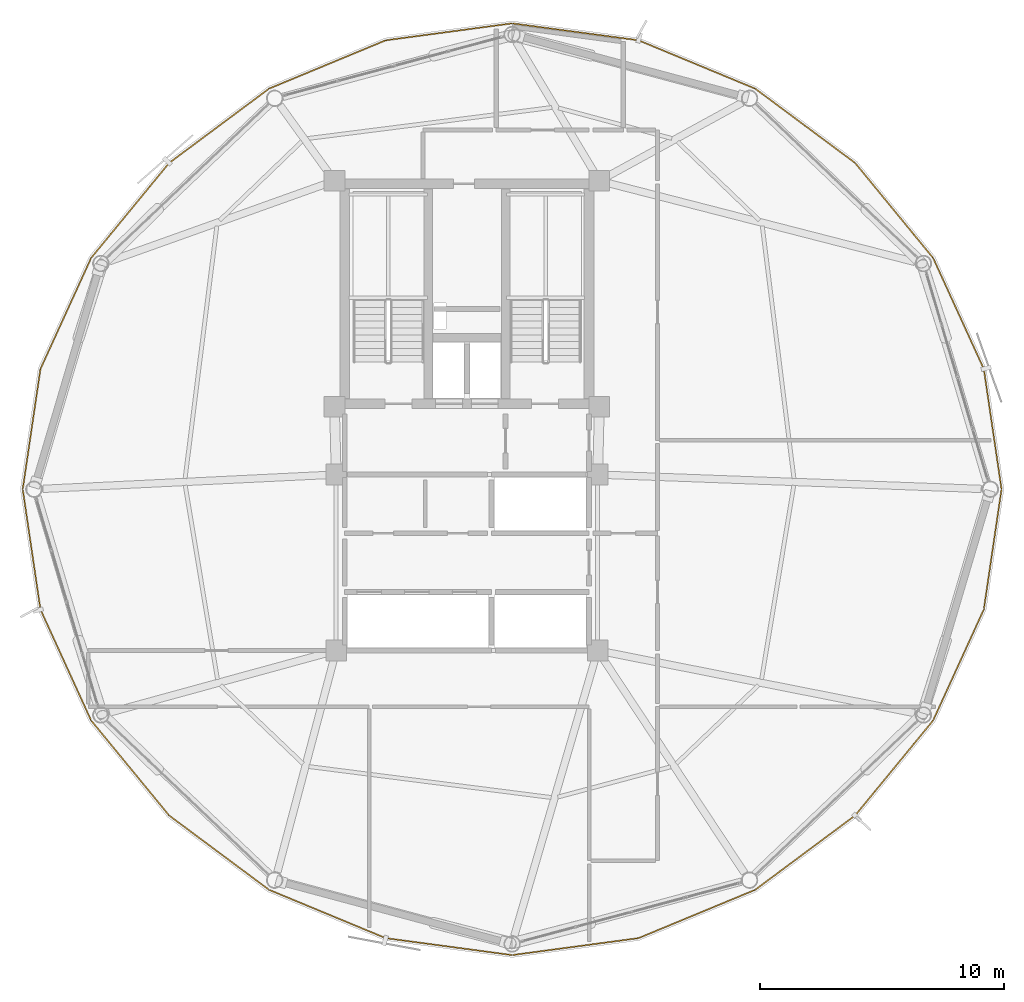
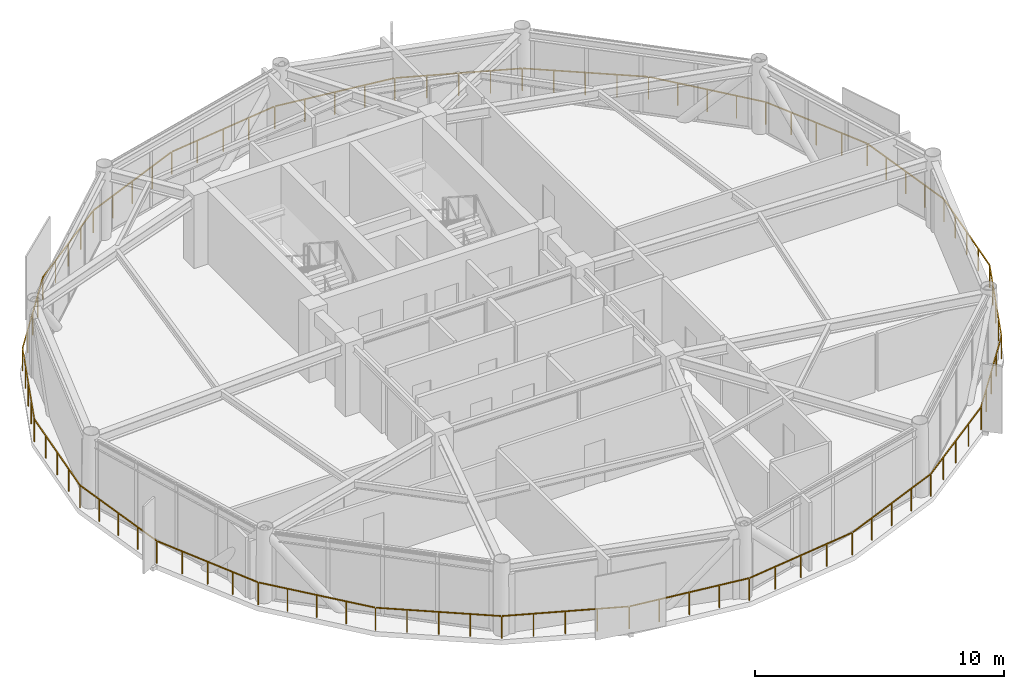
# One storey, part 27 of 29: 1 railing.
"""IFC4 building model written with IfcOpenShell, lengths in metres."""

from ifc_helpers import new_model, si_unit, direction, frame, origin, origin_2d, place, context, subcontext, project, spatial, rectangle, extrude, material, type_object, element, save


model = new_model("IFC4")

# Units and contexts
model_context = context("Model", 3, precision=1e-05, world=origin(), true_north=direction((0.0, 1.0)))
body_context = subcontext(model_context, "Body", "Model", "MODEL_VIEW")
ifc_project = project(units=[si_unit("LENGTHUNIT", "METRE"), si_unit("AREAUNIT", "SQUARE_METRE"), si_unit("VOLUMEUNIT", "CUBIC_METRE"), si_unit("PLANEANGLEUNIT", "RADIAN"), si_unit("MASSUNIT", "GRAM", prefix="KILO")], contexts=[model_context])

# Site, building, storey
site_placement = place(None, origin())
site = spatial("IfcSite", under=ifc_project, at=site_placement, CompositionType="ELEMENT")
building_placement = place(site_placement, origin())
building = spatial("IfcBuilding", under=site, at=building_placement, Name="Varnakorn Sky Granary", CompositionType="ELEMENT")
storey_placement = place(building_placement, frame((0.0, 0.0, 189.60009765625)))
storey = spatial("IfcBuildingStorey", under=building, at=storey_placement, Name="L47", CompositionType="ELEMENT", Elevation=189.60009765625)

# Railing
ifc_material = material(Name="Anodised Bronze Aluminium Alloy 6063-T6", Category="aluminium")
railing_type = type_object("IfcRailingType", Name="RL-BAL-1120", PredefinedType="BALUSTRADE", material=ifc_material)
railing_placement = place(storey_placement, frame((24.8779296875, 0.0, 0.0)))
element("IfcRailing", 1, at=railing_placement, inside=storey, type_object=railing_type, Name="Perimeter Slab-Edge Safety Guard L47", PredefinedType="BALUSTRADE", context=body_context, shape_type="SweptSolid", body=[
    extrude(rectangle(XDim=0.048095703125, YDim=0.048095703125, at=origin_2d()), frame((-0.004150390625, -0.027587890625, 1.09619140625), z_axis=(-0.145804916741, -0.989313361, 0.0), x_axis=(0.989313361, -0.145804916741, 0.0)), (0.0, 0.0, 1.0), 4.9169921875),
    extrude(rectangle(XDim=0.048095703125, YDim=0.048095703125, at=origin_2d()), frame((-0.73681640625, -4.9453125, 1.09619140625), z_axis=(-0.415265078205, -0.909700453349, 0.0), x_axis=(0.909700453349, -0.415265078205, 0.0)), (0.0, 0.0, 1.0), 4.9365234375),
    extrude(rectangle(XDim=0.048095703125, YDim=0.048095703125, at=origin_2d()), frame((-2.816162109375, -9.4833984375, 1.09619140625), z_axis=(-0.634454878284, -0.772959900268, 0.0), x_axis=(0.772959900268, -0.634454878284, 0.0)), (0.0, 0.0, 1.0), 4.9765625),
    extrude(rectangle(XDim=0.048095703125, YDim=0.048095703125, at=origin_2d()), frame((-6.013671875, -13.3681640625, 1.09619140625), z_axis=(-0.802419402276, -0.596760507114, 0.0), x_axis=(0.596760507114, -0.802419402276, 0.0)), (0.0, 0.0, 1.0), 5.040283203125),
    extrude(rectangle(XDim=0.048095703125, YDim=0.048095703125, at=origin_2d()), frame((-10.1064453125, -16.403564453125, 1.09619140625), z_axis=(-0.923863121095, -0.382723050626, 0.0), x_axis=(0.382723050626, -0.923863121095, 0.0)), (0.0, 0.0, 1.0), 5.113037109375),
    extrude(rectangle(XDim=0.048095703125, YDim=0.048095703125, at=origin_2d()), frame((-14.8837890625, -18.374755859375, 1.09619140625), z_axis=(-0.991139006747, -0.132828721684, 0.0), x_axis=(0.132828721684, -0.991139006747, 0.0)), (0.0, 0.0, 1.0), 5.162109375),
    extrude(rectangle(XDim=0.048095703125, YDim=0.048095703125, at=origin_2d()), frame((-20.0556640625, -19.060546875, 1.09619140625), z_axis=(-0.991139832177, 0.132822562358, 0.0), x_axis=(-0.132822562358, -0.991139832177, 0.0)), (0.0, 0.0, 1.0), 5.162353515625),
    extrude(rectangle(XDim=0.048095703125, YDim=0.048095703125, at=origin_2d()), frame((-25.225830078125, -18.3603515625, 1.09619140625), z_axis=(-0.923863121095, 0.382723050626, 0.0), x_axis=(-0.382723050626, -0.923863121095, 0.0)), (0.0, 0.0, 1.0), 5.113037109375),
    extrude(rectangle(XDim=0.048095703125, YDim=0.048095703125, at=origin_2d()), frame((-29.997802734375, -16.376220703125, 1.09619140625), z_axis=(-0.802402340989, 0.596783447471, 0.0), x_axis=(-0.596783447471, -0.802402340989, 0.0)), (0.0, 0.0, 1.0), 5.0400390625),
    extrude(rectangle(XDim=0.048095703125, YDim=0.048095703125, at=origin_2d()), frame((-34.082275390625, -13.329833984375, 1.09619140625), z_axis=(-0.634483861948, 0.772936109214, 0.0), x_axis=(-0.772936109214, -0.634483861948, 0.0)), (0.0, 0.0, 1.0), 4.9765625),
    extrude(rectangle(XDim=0.048095703125, YDim=0.048095703125, at=origin_2d()), frame((-37.269287109375, -9.436279296875, 1.09619140625), z_axis=(-0.415265078205, 0.909700453349, 0.0), x_axis=(-0.909700453349, -0.415265078205, 0.0)), (0.0, 0.0, 1.0), 4.9365234375),
    extrude(rectangle(XDim=0.048095703125, YDim=0.048095703125, at=origin_2d()), frame((-39.3349609375, -4.892333984375, 1.09619140625), z_axis=(-0.145804916741, 0.989313361, 0.0), x_axis=(-0.989313361, -0.145804916741, 0.0)), (0.0, 0.0, 1.0), 4.9169921875),
    extrude(rectangle(XDim=0.048095703125, YDim=0.048095703125, at=origin_2d()), frame((-40.0517578125, 0.027587890625, 1.09619140625), z_axis=(0.145804916741, 0.989313361, 0.0), x_axis=(-0.989313361, 0.145804916741, 0.0)), (0.0, 0.0, 1.0), 4.9169921875),
    extrude(rectangle(XDim=0.048095703125, YDim=0.048095703125, at=origin_2d()), frame((-39.319091796875, 4.9453125, 1.09619140625), z_axis=(0.415265078205, 0.909700453349, 0.0), x_axis=(-0.909700453349, 0.415265078205, 0.0)), (0.0, 0.0, 1.0), 4.9365234375),
    extrude(rectangle(XDim=0.048095703125, YDim=0.048095703125, at=origin_2d()), frame((-37.23974609375, 9.4833984375, 1.09619140625), z_axis=(0.634483861948, 0.772936109214, 0.0), x_axis=(-0.772936109214, 0.634483861948, 0.0)), (0.0, 0.0, 1.0), 4.9765625),
    extrude(rectangle(XDim=0.048095703125, YDim=0.048095703125, at=origin_2d()), frame((-34.0419921875, 13.3681640625, 1.09619140625), z_axis=(0.802402340989, 0.596783447471, 0.0), x_axis=(-0.596783447471, 0.802402340989, 0.0)), (0.0, 0.0, 1.0), 5.0400390625),
    extrude(rectangle(XDim=0.048095703125, YDim=0.048095703125, at=origin_2d()), frame((-29.949462890625, 16.403564453125, 1.09619140625), z_axis=(0.923863121095, 0.382723050626, 0.0), x_axis=(-0.382723050626, 0.923863121095, 0.0)), (0.0, 0.0, 1.0), 5.113037109375),
    extrude(rectangle(XDim=0.048095703125, YDim=0.048095703125, at=origin_2d()), frame((-25.172119140625, 18.374755859375, 1.09619140625), z_axis=(0.991139832177, 0.132822562358, 0.0), x_axis=(-0.132822562358, 0.991139832177, 0.0)), (0.0, 0.0, 1.0), 5.162353515625),
    extrude(rectangle(XDim=0.048095703125, YDim=0.048095703125, at=origin_2d()), frame((-20.0, 19.060546875, 1.09619140625), z_axis=(0.991139006747, -0.132828721684, 0.0), x_axis=(0.132828721684, 0.991139006747, 0.0)), (0.0, 0.0, 1.0), 5.162109375),
    extrude(rectangle(XDim=0.048095703125, YDim=0.048095703125, at=origin_2d()), frame((-14.830078125, 18.3603515625, 1.09619140625), z_axis=(0.923863121095, -0.382723050626, 0.0), x_axis=(0.382723050626, 0.923863121095, 0.0)), (0.0, 0.0, 1.0), 5.113037109375),
    extrude(rectangle(XDim=0.048095703125, YDim=0.048095703125, at=origin_2d()), frame((-10.05810546875, 16.376220703125, 1.09619140625), z_axis=(0.802419402276, -0.596760507114, 0.0), x_axis=(0.596760507114, 0.802419402276, 0.0)), (0.0, 0.0, 1.0), 5.040283203125),
    extrude(rectangle(XDim=0.048095703125, YDim=0.048095703125, at=origin_2d()), frame((-5.973388671875, 13.329833984375, 1.09619140625), z_axis=(0.634454878284, -0.772959900268, 0.0), x_axis=(0.772959900268, 0.634454878284, 0.0)), (0.0, 0.0, 1.0), 4.9765625),
    extrude(rectangle(XDim=0.048095703125, YDim=0.048095703125, at=origin_2d()), frame((-2.78662109375, 9.436279296875, 1.09619140625), z_axis=(0.415265078205, -0.909700453349, 0.0), x_axis=(0.909700453349, 0.415265078205, 0.0)), (0.0, 0.0, 1.0), 4.9365234375),
    extrude(rectangle(XDim=0.048095703125, YDim=0.048095703125, at=origin_2d()), frame((-0.720947265625, 4.892333984375, 1.09619140625), z_axis=(0.145804916741, -0.989313361, 0.0), x_axis=(0.989313361, 0.145804916741, 0.0)), (0.0, 0.0, 1.0), 4.9169921875),
    extrude(rectangle(XDim=0.0419921875, YDim=0.0419921875, at=origin_2d()), origin(), (0.0, 0.0, 1.0), 1.068115234375),
    extrude(rectangle(XDim=0.0419921875, YDim=0.0419921875, at=origin_2d()), frame((-0.18115234375, -1.22998046875, 0.0)), (0.0, 0.0, 1.0), 1.068115234375),
    extrude(rectangle(XDim=0.0419921875, YDim=0.0419921875, at=origin_2d()), frame((-0.362548828125, -2.4599609375, 0.0)), (0.0, 0.0, 1.0), 1.068115234375),
    extrude(rectangle(XDim=0.0419921875, YDim=0.0419921875, at=origin_2d()), frame((-0.5439453125, -3.68994140625, 0.0)), (0.0, 0.0, 1.0), 1.068115234375),
    extrude(rectangle(XDim=0.0419921875, YDim=0.0419921875, at=origin_2d()), frame((-0.72509765625, -4.919921875, 0.0)), (0.0, 0.0, 1.0), 1.068115234375),
    extrude(rectangle(XDim=0.0419921875, YDim=0.0419921875, at=origin_2d()), frame((-1.243408203125, -6.055419921875, 0.0)), (0.0, 0.0, 1.0), 1.068115234375),
    extrude(rectangle(XDim=0.0419921875, YDim=0.0419921875, at=origin_2d()), frame((-1.76171875, -7.19091796875, 0.0)), (0.0, 0.0, 1.0), 1.068115234375),
    extrude(rectangle(XDim=0.0419921875, YDim=0.0419921875, at=origin_2d()), frame((-2.280029296875, -8.326171875, 0.0)), (0.0, 0.0, 1.0), 1.068115234375),
    extrude(rectangle(XDim=0.0419921875, YDim=0.0419921875, at=origin_2d()), frame((-2.79833984375, -9.461669921875, 0.0)), (0.0, 0.0, 1.0), 1.068115234375),
    extrude(rectangle(XDim=0.0419921875, YDim=0.0419921875, at=origin_2d()), frame((-3.5966796875, -10.43408203125, 0.0)), (0.0, 0.0, 1.0), 1.068115234375),
    extrude(rectangle(XDim=0.0419921875, YDim=0.0419921875, at=origin_2d()), frame((-4.394775390625, -11.40673828125, 0.0)), (0.0, 0.0, 1.0), 1.068115234375),
    extrude(rectangle(XDim=0.0419921875, YDim=0.0419921875, at=origin_2d()), frame((-5.19287109375, -12.379150390625, 0.0)), (0.0, 0.0, 1.0), 1.068115234375),
    extrude(rectangle(XDim=0.0419921875, YDim=0.0419921875, at=origin_2d()), frame((-5.9912109375, -13.3515625, 0.0)), (0.0, 0.0, 1.0), 1.068115234375),
    extrude(rectangle(XDim=0.0419921875, YDim=0.0419921875, at=origin_2d()), frame((-7.013671875, -14.11181640625, 0.0)), (0.0, 0.0, 1.0), 1.068115234375),
    extrude(rectangle(XDim=0.0419921875, YDim=0.0419921875, at=origin_2d()), frame((-8.035888671875, -14.8720703125, 0.0)), (0.0, 0.0, 1.0), 1.068115234375),
    extrude(rectangle(XDim=0.0419921875, YDim=0.0419921875, at=origin_2d()), frame((-9.05810546875, -15.632568359375, 0.0)), (0.0, 0.0, 1.0), 1.068115234375),
    extrude(rectangle(XDim=0.0419921875, YDim=0.0419921875, at=origin_2d()), frame((-10.08056640625, -16.392822265625, 0.0)), (0.0, 0.0, 1.0), 1.068115234375),
    extrude(rectangle(XDim=0.0419921875, YDim=0.0419921875, at=origin_2d()), frame((-11.2744140625, -16.887451171875, 0.0)), (0.0, 0.0, 1.0), 1.068115234375),
    extrude(rectangle(XDim=0.0419921875, YDim=0.0419921875, at=origin_2d()), frame((-12.46826171875, -17.3818359375, 0.0)), (0.0, 0.0, 1.0), 1.068115234375),
    extrude(rectangle(XDim=0.0419921875, YDim=0.0419921875, at=origin_2d()), frame((-13.662109375, -17.87646484375, 0.0)), (0.0, 0.0, 1.0), 1.068115234375),
    extrude(rectangle(XDim=0.0419921875, YDim=0.0419921875, at=origin_2d()), frame((-14.85595703125, -18.37109375, 0.0)), (0.0, 0.0, 1.0), 1.068115234375),
    extrude(rectangle(XDim=0.0419921875, YDim=0.0419921875, at=origin_2d()), frame((-16.14892578125, -18.54443359375, 0.0)), (0.0, 0.0, 1.0), 1.068115234375),
    extrude(rectangle(XDim=0.0419921875, YDim=0.0419921875, at=origin_2d()), frame((-17.44189453125, -18.7177734375, 0.0)), (0.0, 0.0, 1.0), 1.068115234375),
    extrude(rectangle(XDim=0.0419921875, YDim=0.0419921875, at=origin_2d()), frame((-18.73486328125, -18.890869140625, 0.0)), (0.0, 0.0, 1.0), 1.068115234375),
    extrude(rectangle(XDim=0.0419921875, YDim=0.0419921875, at=origin_2d()), frame((-20.02783203125, -19.064208984375, 0.0)), (0.0, 0.0, 1.0), 1.068115234375),
    extrude(rectangle(XDim=0.0419921875, YDim=0.0419921875, at=origin_2d()), frame((-21.32080078125, -18.890869140625, 0.0)), (0.0, 0.0, 1.0), 1.068115234375),
    extrude(rectangle(XDim=0.0419921875, YDim=0.0419921875, at=origin_2d()), frame((-22.61376953125, -18.7177734375, 0.0)), (0.0, 0.0, 1.0), 1.068115234375),
    extrude(rectangle(XDim=0.0419921875, YDim=0.0419921875, at=origin_2d()), frame((-23.906982421875, -18.54443359375, 0.0)), (0.0, 0.0, 1.0), 1.068115234375),
    extrude(rectangle(XDim=0.0419921875, YDim=0.0419921875, at=origin_2d()), frame((-25.199951171875, -18.37109375, 0.0)), (0.0, 0.0, 1.0), 1.068115234375),
    extrude(rectangle(XDim=0.0419921875, YDim=0.0419921875, at=origin_2d()), frame((-26.393798828125, -17.87646484375, 0.0)), (0.0, 0.0, 1.0), 1.068115234375),
    extrude(rectangle(XDim=0.0419921875, YDim=0.0419921875, at=origin_2d()), frame((-27.587646484375, -17.3818359375, 0.0)), (0.0, 0.0, 1.0), 1.068115234375),
    extrude(rectangle(XDim=0.0419921875, YDim=0.0419921875, at=origin_2d()), frame((-28.781494140625, -16.887451171875, 0.0)), (0.0, 0.0, 1.0), 1.068115234375),
    extrude(rectangle(XDim=0.0419921875, YDim=0.0419921875, at=origin_2d()), frame((-29.975341796875, -16.392822265625, 0.0)), (0.0, 0.0, 1.0), 1.068115234375),
    extrude(rectangle(XDim=0.0419921875, YDim=0.0419921875, at=origin_2d()), frame((-30.99755859375, -15.632568359375, 0.0)), (0.0, 0.0, 1.0), 1.068115234375),
    extrude(rectangle(XDim=0.0419921875, YDim=0.0419921875, at=origin_2d()), frame((-32.02001953125, -14.8720703125, 0.0)), (0.0, 0.0, 1.0), 1.068115234375),
    extrude(rectangle(XDim=0.0419921875, YDim=0.0419921875, at=origin_2d()), frame((-33.042236328125, -14.11181640625, 0.0)), (0.0, 0.0, 1.0), 1.068115234375),
    extrude(rectangle(XDim=0.0419921875, YDim=0.0419921875, at=origin_2d()), frame((-34.064453125, -13.3515625, 0.0)), (0.0, 0.0, 1.0), 1.068115234375),
    extrude(rectangle(XDim=0.0419921875, YDim=0.0419921875, at=origin_2d()), frame((-34.86279296875, -12.379150390625, 0.0)), (0.0, 0.0, 1.0), 1.068115234375),
    extrude(rectangle(XDim=0.0419921875, YDim=0.0419921875, at=origin_2d()), frame((-35.6611328125, -11.40673828125, 0.0)), (0.0, 0.0, 1.0), 1.068115234375),
    extrude(rectangle(XDim=0.0419921875, YDim=0.0419921875, at=origin_2d()), frame((-36.459228515625, -10.43408203125, 0.0)), (0.0, 0.0, 1.0), 1.068115234375),
    extrude(rectangle(XDim=0.0419921875, YDim=0.0419921875, at=origin_2d()), frame((-37.257568359375, -9.461669921875, 0.0)), (0.0, 0.0, 1.0), 1.068115234375),
    extrude(rectangle(XDim=0.0419921875, YDim=0.0419921875, at=origin_2d()), frame((-37.77587890625, -8.326171875, 0.0)), (0.0, 0.0, 1.0), 1.068115234375),
    extrude(rectangle(XDim=0.0419921875, YDim=0.0419921875, at=origin_2d()), frame((-38.294189453125, -7.19091796875, 0.0)), (0.0, 0.0, 1.0), 1.068115234375),
    extrude(rectangle(XDim=0.0419921875, YDim=0.0419921875, at=origin_2d()), frame((-38.8125, -6.055419921875, 0.0)), (0.0, 0.0, 1.0), 1.068115234375),
    extrude(rectangle(XDim=0.0419921875, YDim=0.0419921875, at=origin_2d()), frame((-39.330810546875, -4.919921875, 0.0)), (0.0, 0.0, 1.0), 1.068115234375),
    extrude(rectangle(XDim=0.0419921875, YDim=0.0419921875, at=origin_2d()), frame((-39.51220703125, -3.68994140625, 0.0)), (0.0, 0.0, 1.0), 1.068115234375),
    extrude(rectangle(XDim=0.0419921875, YDim=0.0419921875, at=origin_2d()), frame((-39.693359375, -2.4599609375, 0.0)), (0.0, 0.0, 1.0), 1.068115234375),
    extrude(rectangle(XDim=0.0419921875, YDim=0.0419921875, at=origin_2d()), frame((-39.87451171875, -1.22998046875, 0.0)), (0.0, 0.0, 1.0), 1.068115234375),
    extrude(rectangle(XDim=0.0419921875, YDim=0.0419921875, at=origin_2d()), frame((-40.055908203125, 0.0, 0.0)), (0.0, 0.0, 1.0), 1.068115234375),
    extrude(rectangle(XDim=0.0419921875, YDim=0.0419921875, at=origin_2d()), frame((-39.87451171875, 1.22998046875, 0.0)), (0.0, 0.0, 1.0), 1.068115234375),
    extrude(rectangle(XDim=0.0419921875, YDim=0.0419921875, at=origin_2d()), frame((-39.693359375, 2.4599609375, 0.0)), (0.0, 0.0, 1.0), 1.068115234375),
    extrude(rectangle(XDim=0.0419921875, YDim=0.0419921875, at=origin_2d()), frame((-39.51220703125, 3.68994140625, 0.0)), (0.0, 0.0, 1.0), 1.068115234375),
    extrude(rectangle(XDim=0.0419921875, YDim=0.0419921875, at=origin_2d()), frame((-39.330810546875, 4.919921875, 0.0)), (0.0, 0.0, 1.0), 1.068115234375),
    extrude(rectangle(XDim=0.0419921875, YDim=0.0419921875, at=origin_2d()), frame((-38.8125, 6.055419921875, 0.0)), (0.0, 0.0, 1.0), 1.068115234375),
    extrude(rectangle(XDim=0.0419921875, YDim=0.0419921875, at=origin_2d()), frame((-38.294189453125, 7.19091796875, 0.0)), (0.0, 0.0, 1.0), 1.068115234375),
    extrude(rectangle(XDim=0.0419921875, YDim=0.0419921875, at=origin_2d()), frame((-37.77587890625, 8.326171875, 0.0)), (0.0, 0.0, 1.0), 1.068115234375),
    extrude(rectangle(XDim=0.0419921875, YDim=0.0419921875, at=origin_2d()), frame((-37.257568359375, 9.461669921875, 0.0)), (0.0, 0.0, 1.0), 1.068115234375),
    extrude(rectangle(XDim=0.0419921875, YDim=0.0419921875, at=origin_2d()), frame((-36.459228515625, 10.43408203125, 0.0)), (0.0, 0.0, 1.0), 1.068115234375),
    extrude(rectangle(XDim=0.0419921875, YDim=0.0419921875, at=origin_2d()), frame((-35.6611328125, 11.40673828125, 0.0)), (0.0, 0.0, 1.0), 1.068115234375),
    extrude(rectangle(XDim=0.0419921875, YDim=0.0419921875, at=origin_2d()), frame((-34.86279296875, 12.379150390625, 0.0)), (0.0, 0.0, 1.0), 1.068115234375),
    extrude(rectangle(XDim=0.0419921875, YDim=0.0419921875, at=origin_2d()), frame((-34.064453125, 13.3515625, 0.0)), (0.0, 0.0, 1.0), 1.068115234375),
    extrude(rectangle(XDim=0.0419921875, YDim=0.0419921875, at=origin_2d()), frame((-33.042236328125, 14.11181640625, 0.0)), (0.0, 0.0, 1.0), 1.068115234375),
    extrude(rectangle(XDim=0.0419921875, YDim=0.0419921875, at=origin_2d()), frame((-32.02001953125, 14.8720703125, 0.0)), (0.0, 0.0, 1.0), 1.068115234375),
    extrude(rectangle(XDim=0.0419921875, YDim=0.0419921875, at=origin_2d()), frame((-30.99755859375, 15.632568359375, 0.0)), (0.0, 0.0, 1.0), 1.068115234375),
    extrude(rectangle(XDim=0.0419921875, YDim=0.0419921875, at=origin_2d()), frame((-29.975341796875, 16.392822265625, 0.0)), (0.0, 0.0, 1.0), 1.068115234375),
    extrude(rectangle(XDim=0.0419921875, YDim=0.0419921875, at=origin_2d()), frame((-28.781494140625, 16.887451171875, 0.0)), (0.0, 0.0, 1.0), 1.068115234375),
    extrude(rectangle(XDim=0.0419921875, YDim=0.0419921875, at=origin_2d()), frame((-27.587646484375, 17.3818359375, 0.0)), (0.0, 0.0, 1.0), 1.068115234375),
    extrude(rectangle(XDim=0.0419921875, YDim=0.0419921875, at=origin_2d()), frame((-26.393798828125, 17.87646484375, 0.0)), (0.0, 0.0, 1.0), 1.068115234375),
    extrude(rectangle(XDim=0.0419921875, YDim=0.0419921875, at=origin_2d()), frame((-25.199951171875, 18.37109375, 0.0)), (0.0, 0.0, 1.0), 1.068115234375),
    extrude(rectangle(XDim=0.0419921875, YDim=0.0419921875, at=origin_2d()), frame((-23.906982421875, 18.54443359375, 0.0)), (0.0, 0.0, 1.0), 1.068115234375),
    extrude(rectangle(XDim=0.0419921875, YDim=0.0419921875, at=origin_2d()), frame((-22.61376953125, 18.7177734375, 0.0)), (0.0, 0.0, 1.0), 1.068115234375),
    extrude(rectangle(XDim=0.0419921875, YDim=0.0419921875, at=origin_2d()), frame((-21.32080078125, 18.890869140625, 0.0)), (0.0, 0.0, 1.0), 1.068115234375),
    extrude(rectangle(XDim=0.0419921875, YDim=0.0419921875, at=origin_2d()), frame((-20.02783203125, 19.064208984375, 0.0)), (0.0, 0.0, 1.0), 1.068115234375),
    extrude(rectangle(XDim=0.0419921875, YDim=0.0419921875, at=origin_2d()), frame((-18.73486328125, 18.890869140625, 0.0)), (0.0, 0.0, 1.0), 1.068115234375),
    extrude(rectangle(XDim=0.0419921875, YDim=0.0419921875, at=origin_2d()), frame((-17.44189453125, 18.7177734375, 0.0)), (0.0, 0.0, 1.0), 1.068115234375),
    extrude(rectangle(XDim=0.0419921875, YDim=0.0419921875, at=origin_2d()), frame((-16.14892578125, 18.54443359375, 0.0)), (0.0, 0.0, 1.0), 1.068115234375),
    extrude(rectangle(XDim=0.0419921875, YDim=0.0419921875, at=origin_2d()), frame((-14.85595703125, 18.37109375, 0.0)), (0.0, 0.0, 1.0), 1.068115234375),
    extrude(rectangle(XDim=0.0419921875, YDim=0.0419921875, at=origin_2d()), frame((-13.662109375, 17.87646484375, 0.0)), (0.0, 0.0, 1.0), 1.068115234375),
    extrude(rectangle(XDim=0.0419921875, YDim=0.0419921875, at=origin_2d()), frame((-12.46826171875, 17.3818359375, 0.0)), (0.0, 0.0, 1.0), 1.068115234375),
    extrude(rectangle(XDim=0.0419921875, YDim=0.0419921875, at=origin_2d()), frame((-11.2744140625, 16.887451171875, 0.0)), (0.0, 0.0, 1.0), 1.068115234375),
    extrude(rectangle(XDim=0.0419921875, YDim=0.0419921875, at=origin_2d()), frame((-10.08056640625, 16.392822265625, 0.0)), (0.0, 0.0, 1.0), 1.068115234375),
    extrude(rectangle(XDim=0.0419921875, YDim=0.0419921875, at=origin_2d()), frame((-9.05810546875, 15.632568359375, 0.0)), (0.0, 0.0, 1.0), 1.068115234375),
    extrude(rectangle(XDim=0.0419921875, YDim=0.0419921875, at=origin_2d()), frame((-8.035888671875, 14.8720703125, 0.0)), (0.0, 0.0, 1.0), 1.068115234375),
    extrude(rectangle(XDim=0.0419921875, YDim=0.0419921875, at=origin_2d()), frame((-7.013671875, 14.11181640625, 0.0)), (0.0, 0.0, 1.0), 1.068115234375),
    extrude(rectangle(XDim=0.0419921875, YDim=0.0419921875, at=origin_2d()), frame((-5.9912109375, 13.3515625, 0.0)), (0.0, 0.0, 1.0), 1.068115234375),
    extrude(rectangle(XDim=0.0419921875, YDim=0.0419921875, at=origin_2d()), frame((-5.19287109375, 12.379150390625, 0.0)), (0.0, 0.0, 1.0), 1.068115234375),
    extrude(rectangle(XDim=0.0419921875, YDim=0.0419921875, at=origin_2d()), frame((-4.394775390625, 11.40673828125, 0.0)), (0.0, 0.0, 1.0), 1.068115234375),
    extrude(rectangle(XDim=0.0419921875, YDim=0.0419921875, at=origin_2d()), frame((-3.5966796875, 10.43408203125, 0.0)), (0.0, 0.0, 1.0), 1.068115234375),
    extrude(rectangle(XDim=0.0419921875, YDim=0.0419921875, at=origin_2d()), frame((-2.79833984375, 9.461669921875, 0.0)), (0.0, 0.0, 1.0), 1.068115234375),
    extrude(rectangle(XDim=0.0419921875, YDim=0.0419921875, at=origin_2d()), frame((-2.280029296875, 8.326171875, 0.0)), (0.0, 0.0, 1.0), 1.068115234375),
    extrude(rectangle(XDim=0.0419921875, YDim=0.0419921875, at=origin_2d()), frame((-1.76171875, 7.19091796875, 0.0)), (0.0, 0.0, 1.0), 1.068115234375),
    extrude(rectangle(XDim=0.0419921875, YDim=0.0419921875, at=origin_2d()), frame((-1.243408203125, 6.055419921875, 0.0)), (0.0, 0.0, 1.0), 1.068115234375),
    extrude(rectangle(XDim=0.0419921875, YDim=0.0419921875, at=origin_2d()), frame((-0.72509765625, 4.919921875, 0.0)), (0.0, 0.0, 1.0), 1.068115234375),
    extrude(rectangle(XDim=0.0419921875, YDim=0.0419921875, at=origin_2d()), frame((-0.5439453125, 3.68994140625, 0.0)), (0.0, 0.0, 1.0), 1.068115234375),
    extrude(rectangle(XDim=0.0419921875, YDim=0.0419921875, at=origin_2d()), frame((-0.362548828125, 2.4599609375, 0.0)), (0.0, 0.0, 1.0), 1.068115234375),
    extrude(rectangle(XDim=0.0419921875, YDim=0.0419921875, at=origin_2d()), frame((-0.18115234375, 1.22998046875, 0.0)), (0.0, 0.0, 1.0), 1.068115234375),
])

save(model, "model.ifc")
